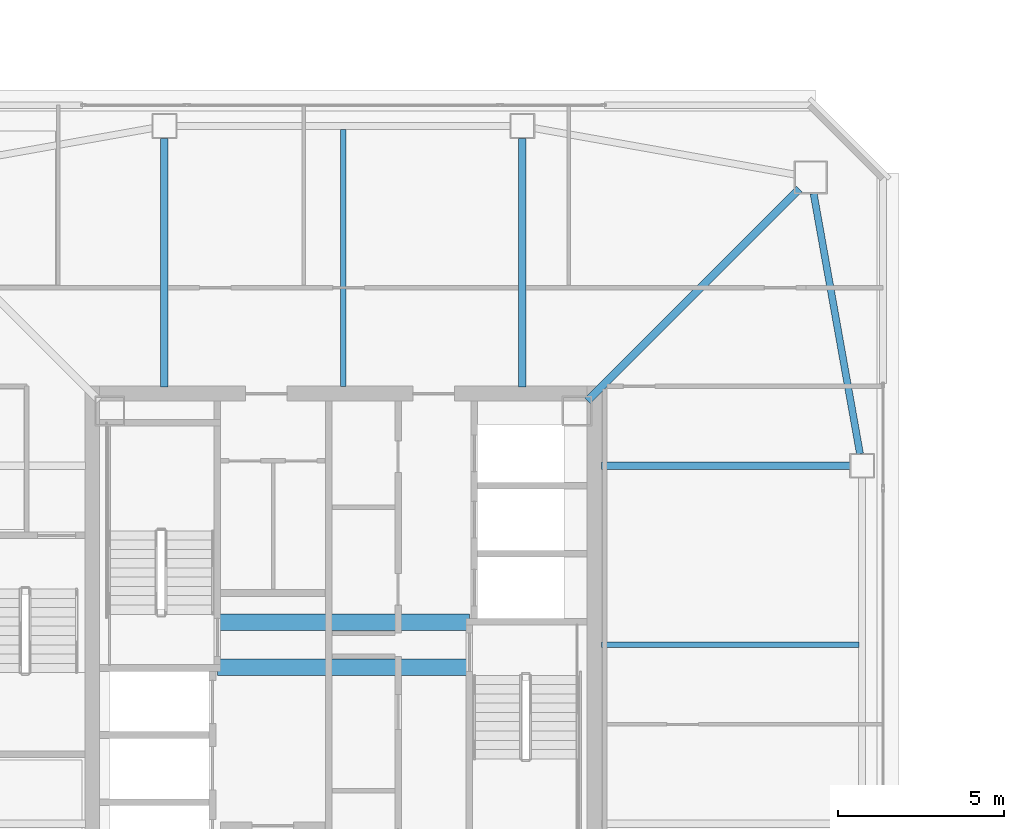
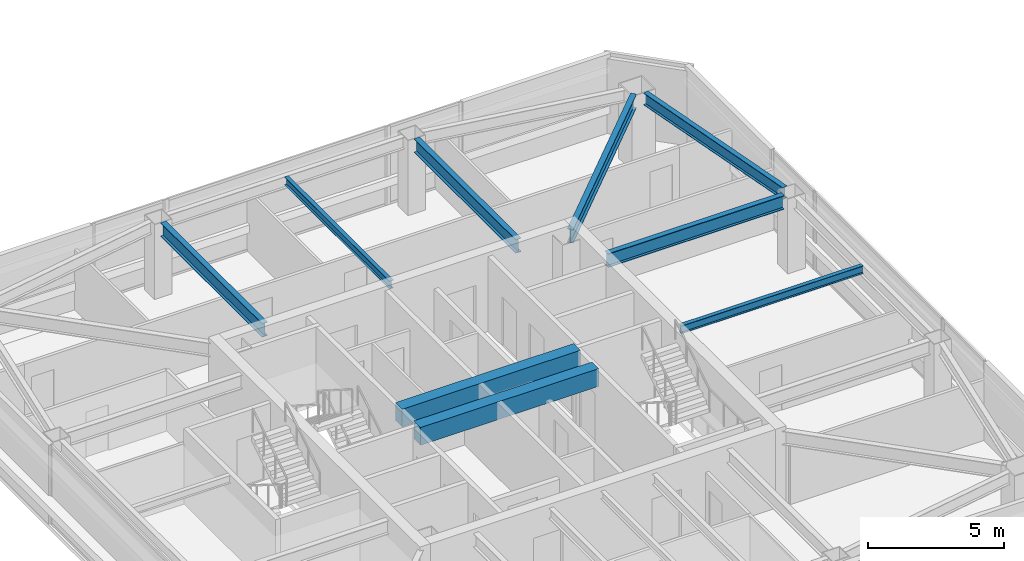
# One storey, part 10 of 39: 9 beams.
"""IFC4 building model written with IfcOpenShell, lengths in metres."""

from ifc_helpers import new_model, si_unit, direction, frame, origin, origin_2d, place, context, subcontext, project, spatial, rectangle, i_section, extrude, material, material_profile, profile_set, type_object, element, save


model = new_model("IFC4")

# Units and contexts
model_context = context("Model", 3, precision=1e-05, world=origin(), true_north=direction((0.0, 1.0)))
body_context = subcontext(model_context, "Body", "Model", "MODEL_VIEW")
ifc_project = project(units=[si_unit("LENGTHUNIT", "METRE"), si_unit("AREAUNIT", "SQUARE_METRE"), si_unit("VOLUMEUNIT", "CUBIC_METRE"), si_unit("PLANEANGLEUNIT", "RADIAN"), si_unit("MASSUNIT", "GRAM", prefix="KILO")], contexts=[model_context])

# Site, building, storey
site_placement = place(None, origin())
site = spatial("IfcSite", under=ifc_project, at=site_placement, CompositionType="ELEMENT")
building_placement = place(site_placement, origin())
building = spatial("IfcBuilding", under=site, at=building_placement, Name="Tashvorn Skyway Center", CompositionType="ELEMENT")
storey_placement = place(building_placement, frame((0.0, 0.0, 225.5)))
storey = spatial("IfcBuildingStorey", under=building, at=storey_placement, Name="L61", CompositionType="ELEMENT", Elevation=225.5)

# Beams
ifc_material_1 = material(Name="Steel ASTM A992 Grade 50", Category="steel")
ifc_material_profile_1 = material_profile(ifc_material_1, i_section(OverallWidth=0.22998046875, OverallDepth=0.616943359375, WebThickness=0.01318359375, FlangeThickness=0.022216796875, at=origin_2d()), Name="W24X94")
ifc_profile_set_1 = profile_set([ifc_material_profile_1], Name="Steel ASTM A992 Grade 50")
beam_type_1 = type_object("IfcBeamType", Name="BM-BEAM-W24X94", PredefinedType="BEAM", material=ifc_profile_set_1)
beam_1_placement = place(storey_placement, frame((55.75, 45.75, 3.0615234375), z_axis=(-0.707106781187, -0.707106781187, 0.0), x_axis=(0.707106781187, -0.707106781187, 0.0)))
element("IfcBeam", 1, at=beam_1_placement, inside=storey, type_object=beam_type_1, Name="Tower 1 L61 Primary Floor Girder MC-NE", PredefinedType="BEAM", context=body_context, shape_type="SweptSolid", body=[
    extrude(i_section(OverallWidth=0.22998046875, OverallDepth=0.616943359375, WebThickness=0.01318359375, FlangeThickness=0.022216796875, at=origin_2d()), origin(), (0.0, 0.0, 1.0), 9.030029296875),
])
for number, where, z_axis, x_axis, name in (
    (2, (57.280029296875, 37.39990234375, 3.0615234375), (-1.0, 0.0, 0.0), (0.0, -1.0, 0.0), "Tower 1 L61 Primary Floor Girder FC-E2"),
    (3, (47.39990234375, 47.280029296875, 3.0615234375), (0.0, -1.0, 0.0), (1.0, 0.0, 0.0), "Tower 1 L61 Primary Floor Girder FC-N1"),
    (4, (36.60009765625, 47.280029296875, 3.0615234375), (0.0, -1.0, 0.0), (1.0, 0.0, 0.0), "Tower 1 L61 Primary Floor Girder FC-N2"),
):
    element("IfcBeam", number, at=place(storey_placement, frame(where, z_axis=z_axis, x_axis=x_axis)), inside=storey, type_object=beam_type_1, Name=name, PredefinedType="BEAM", context=body_context, shape_type="SweptSolid", body=[
        extrude(i_section(OverallWidth=0.22998046875, OverallDepth=0.616943359375, WebThickness=0.01318359375, FlangeThickness=0.022216796875, at=origin_2d()), origin(), (0.0, 0.0, 1.0), 7.5),
    ])
ifc_material_profile_2 = material_profile(ifc_material_1, i_section(OverallWidth=0.1708984375, OverallDepth=0.35498046875, WebThickness=0.007080078125, FlangeThickness=0.01171875, at=origin_2d()), Name="W14X34")
ifc_profile_set_2 = profile_set([ifc_material_profile_2], Name="Steel ASTM A992 Grade 50")
beam_type_2 = type_object("IfcBeamType", Name="BM-JOIST-W14X34", PredefinedType="JOIST", material=ifc_profile_set_2)
for number, where, z_axis, x_axis, name in (
    (5, (42.0, 39.7900390625, 3.1923828125), (0.0, 1.0, 0.0), (-1.0, 0.0, 0.0), "Tower 1 L61 Secondary Composite Joist JN"),
    (6, (49.7900390625, 32.0, 3.1923828125), (1.0, 0.0, 0.0), (0.0, 1.0, 0.0), "Tower 1 L61 Secondary Composite Joist JE"),
):
    element("IfcBeam", number, at=place(storey_placement, frame(where, z_axis=z_axis, x_axis=x_axis)), inside=storey, type_object=beam_type_2, Name=name, PredefinedType="JOIST", context=body_context, shape_type="SweptSolid", body=[
        extrude(i_section(OverallWidth=0.1708984375, OverallDepth=0.35498046875, WebThickness=0.007080078125, FlangeThickness=0.01171875, at=origin_2d()), origin(), (0.0, 0.0, 1.0), 7.762451171875),
    ])
ifc_material_2 = material(Name="Concrete C50/60", Category="concrete")
ifc_material_profile_3 = material_profile(ifc_material_2, rectangle(XDim=0.5, YDim=0.800048828125, at=origin_2d()), Name="RCB500x800")
ifc_profile_set_3 = profile_set([ifc_material_profile_3], Name="Concrete C50/60")
beam_type_3 = type_object("IfcBeamType", Name="BM-LINTEL-RCB500x800", PredefinedType="LINTEL", material=ifc_profile_set_3)
for number, where, z_axis, x_axis, name in (
    (7, (38.199951171875, 32.679931640625, 2.969970703125), (1.0, 0.0, 0.0), (0.0, 1.0, 0.0), "Tower 1 L61 Core Coupling Beam CN"),
    (8, (38.199951171875, 31.320068359375, 2.969970703125), (1.0, 0.0, 0.0), (0.0, 1.0, 0.0), "Tower 1 L61 Core Coupling Beam CS"),
):
    element("IfcBeam", number, at=place(storey_placement, frame(where, z_axis=z_axis, x_axis=x_axis)), inside=storey, type_object=beam_type_3, Name=name, PredefinedType="LINTEL", context=body_context, shape_type="SweptSolid", body=[
        extrude(rectangle(XDim=0.5, YDim=0.800048828125, at=origin_2d()), origin(), (0.0, 0.0, 1.0), 7.60009765625),
    ])
ifc_material_profile_4 = material_profile(ifc_material_1, i_section(OverallWidth=0.2109375, OverallDepth=0.5390625, WebThickness=0.01171875, FlangeThickness=0.018798828125, at=origin_2d()), Name="W21X73")
ifc_profile_set_4 = profile_set([ifc_material_profile_4], Name="Steel ASTM A992 Grade 50")
beam_type_4 = type_object("IfcBeamType", Name="BM-SPANDREL-W21X73", PredefinedType="SPANDREL", material=ifc_profile_set_4)
beam_2_placement = place(storey_placement, frame((57.585205078125, 37.76416015625, 3.1005859375), z_axis=(-0.17541329759, 0.984494883191, 0.0), x_axis=(-0.984494883191, -0.17541329759, 0.0)))
element("IfcBeam", 9, at=beam_2_placement, inside=storey, type_object=beam_type_4, Name="Tower 1 L61 Spandrel Beam 06", PredefinedType="SPANDREL", context=body_context, shape_type="SweptSolid", body=[
    extrude(i_section(OverallWidth=0.2109375, OverallDepth=0.5390625, WebThickness=0.01171875, FlangeThickness=0.018798828125, at=origin_2d()), origin(), (0.0, 0.0, 1.0), 7.97216796875),
])

save(model, "model.ifc")
